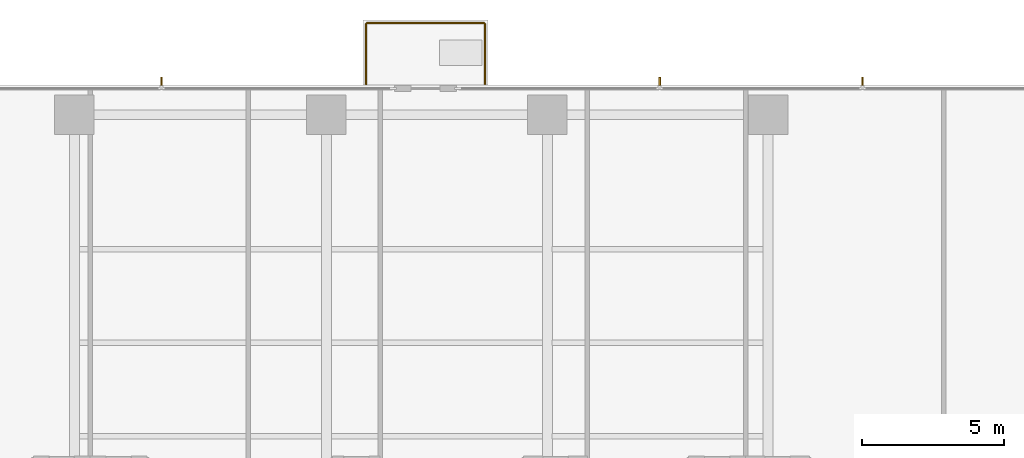
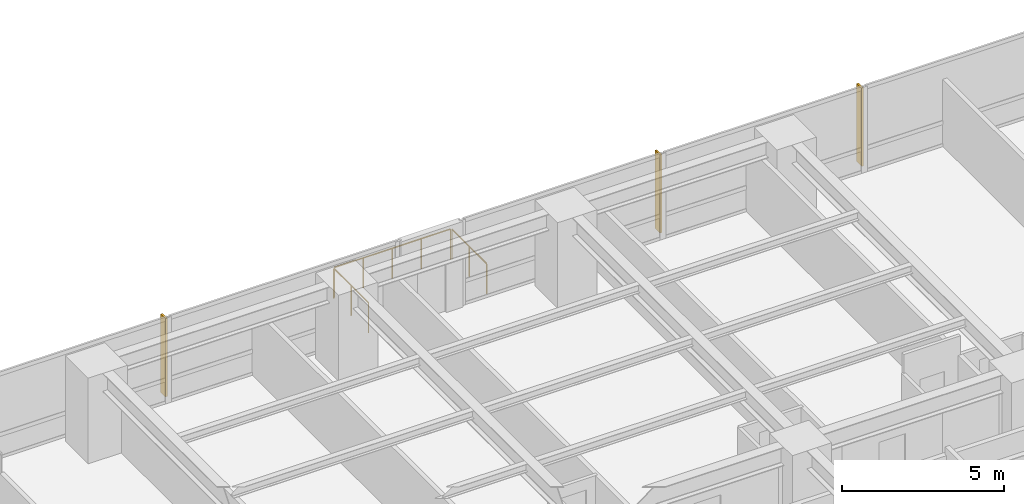
# One storey, part 17 of 17: 3 railings, 3 shading devices.
"""IFC4 building model written with IfcOpenShell, lengths in metres."""

from ifc_helpers import new_model, si_unit, direction, frame, origin, origin_2d, place, context, subcontext, project, spatial, polyline, circle, outline, extrude, material, layer, layer_set, type_object, element, save


model = new_model("IFC4")

# Units and contexts
model_context = context("Model", 3, precision=1e-05, world=origin(), true_north=direction((0.0, 1.0)))
body_context = subcontext(model_context, "Body", "Model", "MODEL_VIEW")
ifc_project = project(units=[si_unit("LENGTHUNIT", "METRE"), si_unit("AREAUNIT", "SQUARE_METRE"), si_unit("VOLUMEUNIT", "CUBIC_METRE"), si_unit("PLANEANGLEUNIT", "RADIAN"), si_unit("MASSUNIT", "GRAM", prefix="KILO")], contexts=[model_context])

# Site, building, storey
site_placement = place(None, origin())
site = spatial("IfcSite", under=ifc_project, at=site_placement, CompositionType="ELEMENT")
building_placement = place(site_placement, origin())
building = spatial("IfcBuilding", under=site, at=building_placement, Name="Qalmaran Belvedere Hotel", CompositionType="ELEMENT")
storey_placement = place(building_placement, frame((0.0, 0.0, 61.39990234375)))
storey = spatial("IfcBuildingStorey", under=building, at=storey_placement, Name="L15", CompositionType="ELEMENT", Elevation=61.39990234375)

# Shading devices
ifc_material = material(Name="Anodised Bronze Aluminium", Category="aluminium")
ifc_layer = layer(ifc_material, 0.06494140625, Name="Anodised Bronze Aluminium")
ifc_layer_set = layer_set([ifc_layer], Name="Anodised Bronze Aluminium")
shading_device_type = type_object("IfcShadingDeviceType", Name="FIN-BRNZ-300", PredefinedType="USERDEFINED", material=ifc_layer_set)
shading_device_1_placement = place(storey_placement, frame((0.0, 0.0, 0.16015625)))
element("IfcShadingDevice", 1, at=shading_device_1_placement, inside=storey, type_object=shading_device_type, Name="L15 Bronze Fin 1", ObjectType="FIN", PredefinedType="USERDEFINED", context=body_context, shape_type="SweptSolid", body=[
    extrude(outline(polyline([(23.407470703125, 48.472412109375), (23.407470703125, 48.7724609375), (23.342529296875, 48.7724609375), (23.342529296875, 48.472412109375), (23.407470703125, 48.472412109375)])), origin(), (0.0, 0.0, 1.0), 2.93994140625),
])
shading_device_2_placement = place(storey_placement, frame((0.0, 0.0, 0.16015625)))
element("IfcShadingDevice", 2, at=shading_device_2_placement, inside=storey, type_object=shading_device_type, Name="L15 Bronze Fin 1", ObjectType="FIN", PredefinedType="USERDEFINED", context=body_context, shape_type="SweptSolid", body=[
    extrude(outline(polyline([(48.165771484375, 48.472412109375), (48.165771484375, 48.7724609375), (48.100830078125, 48.7724609375), (48.100830078125, 48.472412109375), (48.165771484375, 48.472412109375)])), origin(), (0.0, 0.0, 1.0), 2.93994140625),
])
shading_device_3_placement = place(storey_placement, frame((0.0, 0.0, 0.16015625)))
element("IfcShadingDevice", 3, at=shading_device_3_placement, inside=storey, type_object=shading_device_type, Name="L15 Bronze Fin 2", ObjectType="FIN", PredefinedType="USERDEFINED", context=body_context, shape_type="SweptSolid", body=[
    extrude(outline(polyline([(40.999267578125, 48.472412109375), (40.999267578125, 48.7724609375), (40.93408203125, 48.7724609375), (40.93408203125, 48.472412109375), (40.999267578125, 48.472412109375)])), origin(), (0.0, 0.0, 1.0), 2.93994140625),
])

# Railings
railing_type = type_object("IfcRailingType", Name="GRD-BAL-1150", PredefinedType="BALUSTRADE", material=ifc_material)
railing_1_placement = place(storey_placement, frame((30.60009765625, 48.534912109375, 0.0)))
element("IfcRailing", 4, at=railing_1_placement, inside=storey, type_object=railing_type, Name="L15 Guardrail BAL-L15-N-1", PredefinedType="BALUSTRADE", context=body_context, shape_type="SweptSolid", body=[
    extrude(circle(Radius=0.02392578125, at=origin_2d()), frame((0.0, 0.0, 1.1259765625), z_axis=(0.0, 1.0, 0.0), x_axis=(-1.0, 0.0, 0.0)), (0.0, 0.0, 1.0), 2.130126953125),
    extrude(circle(Radius=0.02099609375, at=origin_2d()), origin(), (0.0, 0.0, 1.0), 1.101806640625),
    extrude(circle(Radius=0.02099609375, at=origin_2d()), frame((0.0, 1.06494140625, 0.0)), (0.0, 0.0, 1.0), 1.101806640625),
    extrude(circle(Radius=0.02099609375, at=origin_2d()), frame((0.0, 2.130126953125, 0.0)), (0.0, 0.0, 1.0), 1.101806640625),
])
railing_2_placement = place(storey_placement, frame((30.635009765625, 50.699951171875, 0.0)))
element("IfcRailing", 5, at=railing_2_placement, inside=storey, type_object=railing_type, Name="L15 Guardrail BAL-L15-N-2", PredefinedType="BALUSTRADE", context=body_context, shape_type="SweptSolid", body=[
    extrude(circle(Radius=0.02392578125, at=origin_2d()), frame((0.0, 0.0, 1.1259765625), z_axis=(1.0, 0.0, 0.0), x_axis=(0.0, 1.0, 0.0)), (0.0, 0.0, 1.0), 4.1298828125),
    extrude(circle(Radius=0.02099609375, at=origin_2d()), origin(), (0.0, 0.0, 1.0), 1.101806640625),
    extrude(circle(Radius=0.02099609375, at=origin_2d()), frame((1.032470703125, 0.0, 0.0)), (0.0, 0.0, 1.0), 1.101806640625),
    extrude(circle(Radius=0.02099609375, at=origin_2d()), frame((2.06494140625, 0.0, 0.0)), (0.0, 0.0, 1.0), 1.101806640625),
    extrude(circle(Radius=0.02099609375, at=origin_2d()), frame((3.097412109375, 0.0, 0.0)), (0.0, 0.0, 1.0), 1.101806640625),
    extrude(circle(Radius=0.02099609375, at=origin_2d()), frame((4.1298828125, 0.0, 0.0)), (0.0, 0.0, 1.0), 1.101806640625),
])
railing_3_placement = place(storey_placement, frame((34.800048828125, 50.6650390625, 0.0)))
element("IfcRailing", 6, at=railing_3_placement, inside=storey, type_object=railing_type, Name="L15 Guardrail BAL-L15-N-3", PredefinedType="BALUSTRADE", context=body_context, shape_type="SweptSolid", body=[
    extrude(circle(Radius=0.02392578125, at=origin_2d()), frame((0.0, 0.0, 1.1259765625), z_axis=(0.0, -1.0, 0.0), x_axis=(1.0, 0.0, 0.0)), (0.0, 0.0, 1.0), 2.130126953125),
    extrude(circle(Radius=0.02099609375, at=origin_2d()), origin(), (0.0, 0.0, 1.0), 1.101806640625),
    extrude(circle(Radius=0.02099609375, at=origin_2d()), frame((0.0, -1.06494140625, 0.0)), (0.0, 0.0, 1.0), 1.101806640625),
    extrude(circle(Radius=0.02099609375, at=origin_2d()), frame((0.0, -2.130126953125, 0.0)), (0.0, 0.0, 1.0), 1.101806640625),
])

save(model, "model.ifc")
